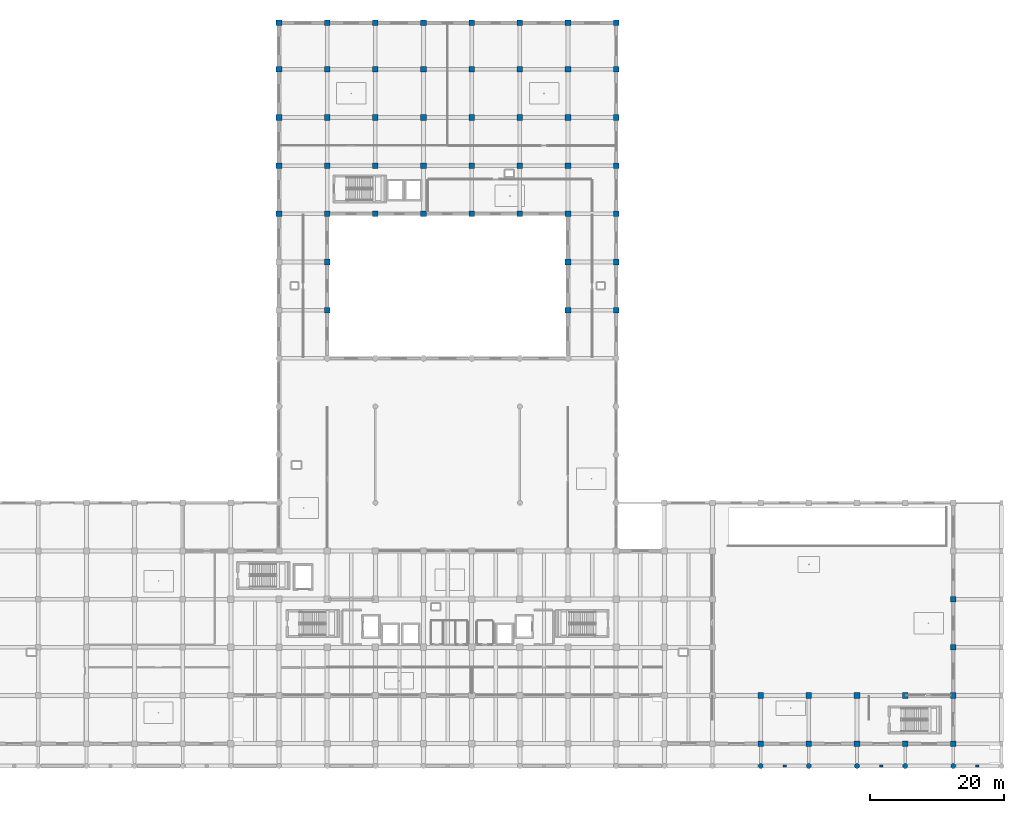
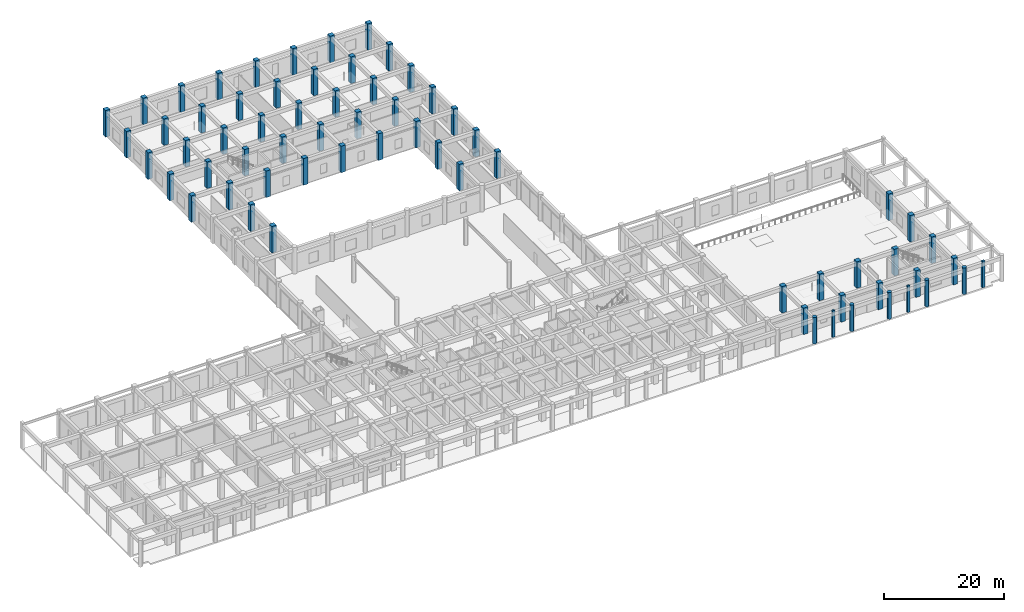
# One storey, part 2 of 56: 66 columns.
"""IFC4 building model written with IfcOpenShell, lengths in metres."""

from ifc_helpers import new_model, si_unit, direction, frame, origin, origin_2d, place, context, subcontext, project, spatial, rectangle, circle, extrude, material, material_profile, profile_set, type_object, element, save


model = new_model("IFC4")

# Units and contexts
model_context = context("Model", 3, precision=1e-05, world=origin(), true_north=direction((0.0, 1.0)))
body_context = subcontext(model_context, "Body", "Model", "MODEL_VIEW")
ifc_project = project(units=[si_unit("LENGTHUNIT", "METRE"), si_unit("AREAUNIT", "SQUARE_METRE"), si_unit("VOLUMEUNIT", "CUBIC_METRE"), si_unit("PLANEANGLEUNIT", "RADIAN"), si_unit("MASSUNIT", "GRAM", prefix="KILO")], contexts=[model_context])

# Site, building, storey
site_placement = place(None, origin())
site = spatial("IfcSite", under=ifc_project, at=site_placement, CompositionType="ELEMENT")
building_placement = place(site_placement, origin())
building = spatial("IfcBuilding", under=site, at=building_placement, Name="Kazehaya Institute of Natural Sciences", CompositionType="ELEMENT")
storey_placement = place(building_placement, origin())
storey = spatial("IfcBuildingStorey", under=building, at=storey_placement, Name="L00", CompositionType="ELEMENT", Elevation=0.0)

# Columns
ifc_material_1 = material(Name="Concrete Fc36", Category="concrete")
ifc_material_profile_1 = material_profile(ifc_material_1, circle(Radius=0.375, at=origin_2d()), Name="RC-DIA750")
ifc_profile_set_1 = profile_set([ifc_material_profile_1], Name="Concrete Fc36")
column_type_1 = type_object("IfcColumnType", Name="COL-DIA750", PredefinedType="COLUMN", material=ifc_profile_set_1)
for number, where, z_axis, x_axis, name in (
    (1, (133.800048828125, 3.449951171875, 0.0), (0.0, 0.0, 1.0), (1.0, 0.0, 0.0), "L00 column COL-L00-0259"),
    (2, (141.0, 3.449951171875, 0.0), (0.0, 0.0, 1.0), (1.0, 0.0, 0.0), "L00 column COL-L00-0260"),
    (3, (148.199951171875, 3.449951171875, 0.0), (0.0, 0.0, 1.0), (1.0, 0.0, 0.0), "L00 column COL-L00-0261"),
    (4, (155.39990234375, 3.449951171875, 0.0), (0.0, 0.0, 1.0), (1.0, 0.0, 0.0), "L00 column COL-L00-0262"),
    (5, (162.60009765625, 3.449951171875, 0.0), (0.0, 0.0, 1.0), (1.0, 0.0, 0.0), "L00 column COL-L00-0263"),
):
    element("IfcColumn", number, at=place(storey_placement, frame(where, z_axis=z_axis, x_axis=x_axis)), inside=storey, type_object=column_type_1, Name=name, PredefinedType="COLUMN", context=body_context, shape_type="SweptSolid", body=[
        extrude(circle(Radius=0.375, at=origin_2d()), origin(), (0.0, 0.0, 1.0), 5.39990234375),
    ])
ifc_material_2 = material(Name="Concrete Fc42", Category="concrete")
ifc_material_profile_2 = material_profile(ifc_material_2, rectangle(XDim=0.85009765625, YDim=0.85009765625, at=origin_2d()), Name="RC-850x850")
ifc_profile_set_2 = profile_set([ifc_material_profile_2], Name="Concrete Fc42")
column_type_2 = type_object("IfcColumnType", Name="COL-RC850", PredefinedType="COLUMN", material=ifc_profile_set_2)
for number, where, z_axis, x_axis, name in (
    (6, (133.800048828125, 6.800048828125, 0.0), (0.0, 0.0, 1.0), (1.0, 0.0, 0.0), "L00 column COL-L00-0283"),
    (7, (141.0, 6.800048828125, 0.0), (0.0, 0.0, 1.0), (1.0, 0.0, 0.0), "L00 column COL-L00-0284"),
    (8, (148.199951171875, 6.800048828125, 0.0), (0.0, 0.0, 1.0), (1.0, 0.0, 0.0), "L00 column COL-L00-0285"),
    (9, (155.39990234375, 6.800048828125, 0.0), (0.0, 0.0, 1.0), (1.0, 0.0, 0.0), "L00 column COL-L00-0286"),
    (10, (162.60009765625, 6.800048828125, 0.0), (0.0, 0.0, 1.0), (1.0, 0.0, 0.0), "L00 column COL-L00-0287"),
    (11, (133.800048828125, 14.0, 0.0), (0.0, 0.0, 1.0), (1.0, 0.0, 0.0), "L00 column COL-L00-0307"),
    (12, (141.0, 14.0, 0.0), (0.0, 0.0, 1.0), (1.0, 0.0, 0.0), "L00 column COL-L00-0308"),
    (13, (148.199951171875, 14.0, 0.0), (0.0, 0.0, 1.0), (1.0, 0.0, 0.0), "L00 column COL-L00-0309"),
    (14, (155.39990234375, 14.0, 0.0), (0.0, 0.0, 1.0), (1.0, 0.0, 0.0), "L00 column COL-L00-0310"),
    (15, (162.60009765625, 14.0, 0.0), (0.0, 0.0, 1.0), (1.0, 0.0, 0.0), "L00 column COL-L00-0311"),
    (16, (162.60009765625, 21.199951171875, 0.0), (0.0, 0.0, 1.0), (1.0, 0.0, 0.0), "L00 column COL-L00-0331"),
    (17, (162.60009765625, 28.39990234375, 0.0), (0.0, 0.0, 1.0), (1.0, 0.0, 0.0), "L00 column COL-L00-0351"),
    (18, (69.0, 71.60009765625, 0.0), (0.0, 0.0, 1.0), (1.0, 0.0, 0.0), "L00 column COL-L00-0404"),
    (19, (105.0, 71.60009765625, 0.0), (0.0, 0.0, 1.0), (1.0, 0.0, 0.0), "L00 column COL-L00-0405"),
    (20, (112.199951171875, 71.60009765625, 0.0), (0.0, 0.0, 1.0), (1.0, 0.0, 0.0), "L00 column COL-L00-0406"),
    (21, (69.0, 78.800048828125, 0.0), (0.0, 0.0, 1.0), (1.0, 0.0, 0.0), "L00 column COL-L00-0408"),
    (22, (105.0, 78.800048828125, 0.0), (0.0, 0.0, 1.0), (1.0, 0.0, 0.0), "L00 column COL-L00-0409"),
    (23, (112.199951171875, 78.800048828125, 0.0), (0.0, 0.0, 1.0), (1.0, 0.0, 0.0), "L00 column COL-L00-0410"),
    (24, (61.800048828125, 86.0, 0.0), (0.0, 0.0, 1.0), (1.0, 0.0, 0.0), "L00 column COL-L00-0411"),
    (25, (69.0, 86.0, 0.0), (0.0, 0.0, 1.0), (1.0, 0.0, 0.0), "L00 column COL-L00-0412"),
    (26, (76.199951171875, 86.0, 0.0), (0.0, 0.0, 1.0), (1.0, 0.0, 0.0), "L00 column COL-L00-0413"),
    (27, (83.39990234375, 86.0, 0.0), (0.0, 0.0, 1.0), (1.0, 0.0, 0.0), "L00 column COL-L00-0414"),
    (28, (90.60009765625, 86.0, 0.0), (0.0, 0.0, 1.0), (1.0, 0.0, 0.0), "L00 column COL-L00-0415"),
    (29, (97.800048828125, 86.0, 0.0), (0.0, 0.0, 1.0), (1.0, 0.0, 0.0), "L00 column COL-L00-0416"),
    (30, (105.0, 86.0, 0.0), (0.0, 0.0, 1.0), (1.0, 0.0, 0.0), "L00 column COL-L00-0417"),
    (31, (112.199951171875, 86.0, 0.0), (0.0, 0.0, 1.0), (1.0, 0.0, 0.0), "L00 column COL-L00-0418"),
    (32, (61.800048828125, 93.199951171875, 0.0), (0.0, 0.0, 1.0), (1.0, 0.0, 0.0), "L00 column COL-L00-0419"),
    (33, (69.0, 93.199951171875, 0.0), (0.0, 0.0, 1.0), (1.0, 0.0, 0.0), "L00 column COL-L00-0420"),
    (34, (76.199951171875, 93.199951171875, 0.0), (0.0, 0.0, 1.0), (1.0, 0.0, 0.0), "L00 column COL-L00-0421"),
    (35, (83.39990234375, 93.199951171875, 0.0), (0.0, 0.0, 1.0), (1.0, 0.0, 0.0), "L00 column COL-L00-0422"),
    (36, (90.60009765625, 93.199951171875, 0.0), (0.0, 0.0, 1.0), (1.0, 0.0, 0.0), "L00 column COL-L00-0423"),
    (37, (97.800048828125, 93.199951171875, 0.0), (0.0, 0.0, 1.0), (1.0, 0.0, 0.0), "L00 column COL-L00-0424"),
    (38, (105.0, 93.199951171875, 0.0), (0.0, 0.0, 1.0), (1.0, 0.0, 0.0), "L00 column COL-L00-0425"),
    (39, (112.199951171875, 93.199951171875, 0.0), (0.0, 0.0, 1.0), (1.0, 0.0, 0.0), "L00 column COL-L00-0426"),
    (40, (61.800048828125, 100.39990234375, 0.0), (0.0, 0.0, 1.0), (1.0, 0.0, 0.0), "L00 column COL-L00-0427"),
    (41, (69.0, 100.39990234375, 0.0), (0.0, 0.0, 1.0), (1.0, 0.0, 0.0), "L00 column COL-L00-0428"),
    (42, (76.199951171875, 100.39990234375, 0.0), (0.0, 0.0, 1.0), (1.0, 0.0, 0.0), "L00 column COL-L00-0429"),
    (43, (83.39990234375, 100.39990234375, 0.0), (0.0, 0.0, 1.0), (1.0, 0.0, 0.0), "L00 column COL-L00-0430"),
    (44, (90.60009765625, 100.39990234375, 0.0), (0.0, 0.0, 1.0), (1.0, 0.0, 0.0), "L00 column COL-L00-0431"),
    (45, (97.800048828125, 100.39990234375, 0.0), (0.0, 0.0, 1.0), (1.0, 0.0, 0.0), "L00 column COL-L00-0432"),
    (46, (105.0, 100.39990234375, 0.0), (0.0, 0.0, 1.0), (1.0, 0.0, 0.0), "L00 column COL-L00-0433"),
    (47, (112.199951171875, 100.39990234375, 0.0), (0.0, 0.0, 1.0), (1.0, 0.0, 0.0), "L00 column COL-L00-0434"),
    (48, (61.800048828125, 107.60009765625, 0.0), (0.0, 0.0, 1.0), (1.0, 0.0, 0.0), "L00 column COL-L00-0435"),
    (49, (69.0, 107.60009765625, 0.0), (0.0, 0.0, 1.0), (1.0, 0.0, 0.0), "L00 column COL-L00-0436"),
    (50, (76.199951171875, 107.60009765625, 0.0), (0.0, 0.0, 1.0), (1.0, 0.0, 0.0), "L00 column COL-L00-0437"),
    (51, (83.39990234375, 107.60009765625, 0.0), (0.0, 0.0, 1.0), (1.0, 0.0, 0.0), "L00 column COL-L00-0438"),
    (52, (90.60009765625, 107.60009765625, 0.0), (0.0, 0.0, 1.0), (1.0, 0.0, 0.0), "L00 column COL-L00-0439"),
    (53, (97.800048828125, 107.60009765625, 0.0), (0.0, 0.0, 1.0), (1.0, 0.0, 0.0), "L00 column COL-L00-0440"),
    (54, (105.0, 107.60009765625, 0.0), (0.0, 0.0, 1.0), (1.0, 0.0, 0.0), "L00 column COL-L00-0441"),
    (55, (112.199951171875, 107.60009765625, 0.0), (0.0, 0.0, 1.0), (1.0, 0.0, 0.0), "L00 column COL-L00-0442"),
    (56, (61.800048828125, 114.550048828125, 0.0), (0.0, 0.0, 1.0), (1.0, 0.0, 0.0), "L00 column COL-L00-0443"),
    (57, (69.0, 114.550048828125, 0.0), (0.0, 0.0, 1.0), (1.0, 0.0, 0.0), "L00 column COL-L00-0444"),
    (58, (76.199951171875, 114.550048828125, 0.0), (0.0, 0.0, 1.0), (1.0, 0.0, 0.0), "L00 column COL-L00-0445"),
    (59, (83.39990234375, 114.550048828125, 0.0), (0.0, 0.0, 1.0), (1.0, 0.0, 0.0), "L00 column COL-L00-0446"),
    (60, (90.60009765625, 114.550048828125, 0.0), (0.0, 0.0, 1.0), (1.0, 0.0, 0.0), "L00 column COL-L00-0447"),
    (61, (97.800048828125, 114.550048828125, 0.0), (0.0, 0.0, 1.0), (1.0, 0.0, 0.0), "L00 column COL-L00-0448"),
    (62, (105.0, 114.550048828125, 0.0), (0.0, 0.0, 1.0), (1.0, 0.0, 0.0), "L00 column COL-L00-0449"),
    (63, (112.199951171875, 114.550048828125, 0.0), (0.0, 0.0, 1.0), (1.0, 0.0, 0.0), "L00 column COL-L00-0450"),
):
    element("IfcColumn", number, at=place(storey_placement, frame(where, z_axis=z_axis, x_axis=x_axis)), inside=storey, type_object=column_type_2, Name=name, PredefinedType="COLUMN", context=body_context, shape_type="SweptSolid", body=[
        extrude(rectangle(XDim=0.85009765625, YDim=0.85009765625, at=origin_2d()), origin(), (0.0, 0.0, 1.0), 5.39990234375),
    ])
ifc_material_3 = material(Name="Precast concrete Fc36", Category="concrete")
ifc_material_profile_3 = material_profile(ifc_material_3, rectangle(XDim=0.5, YDim=0.35009765625, at=origin_2d()), Name="RC-PIL-500x350")
ifc_profile_set_3 = profile_set([ifc_material_profile_3], Name="Precast concrete Fc36")
column_type_3 = type_object("IfcColumnType", Name="PIL-500x350", PredefinedType="PILASTER", material=ifc_profile_set_3)
for number, where, z_axis, x_axis, name in (
    (64, (137.39990234375, 3.449951171875, 0.0), (0.0, 0.0, 1.0), (1.0, 0.0, 0.0), "L00 Neoclassical colonnade pilaster PIL-L00-018"),
    (65, (151.800048828125, 3.449951171875, 0.0), (0.0, 0.0, 1.0), (1.0, 0.0, 0.0), "L00 Neoclassical colonnade pilaster PIL-L00-019"),
    (66, (166.199951171875, 3.449951171875, 0.0), (0.0, 0.0, 1.0), (1.0, 0.0, 0.0), "L00 Neoclassical colonnade pilaster PIL-L00-020"),
):
    element("IfcColumn", number, at=place(storey_placement, frame(where, z_axis=z_axis, x_axis=x_axis)), inside=storey, type_object=column_type_3, Name=name, PredefinedType="PILASTER", context=body_context, shape_type="SweptSolid", body=[
        extrude(rectangle(XDim=0.5, YDim=0.35009765625, at=origin_2d()), origin(), (0.0, 0.0, 1.0), 5.39990234375),
    ])

save(model, "model.ifc")
